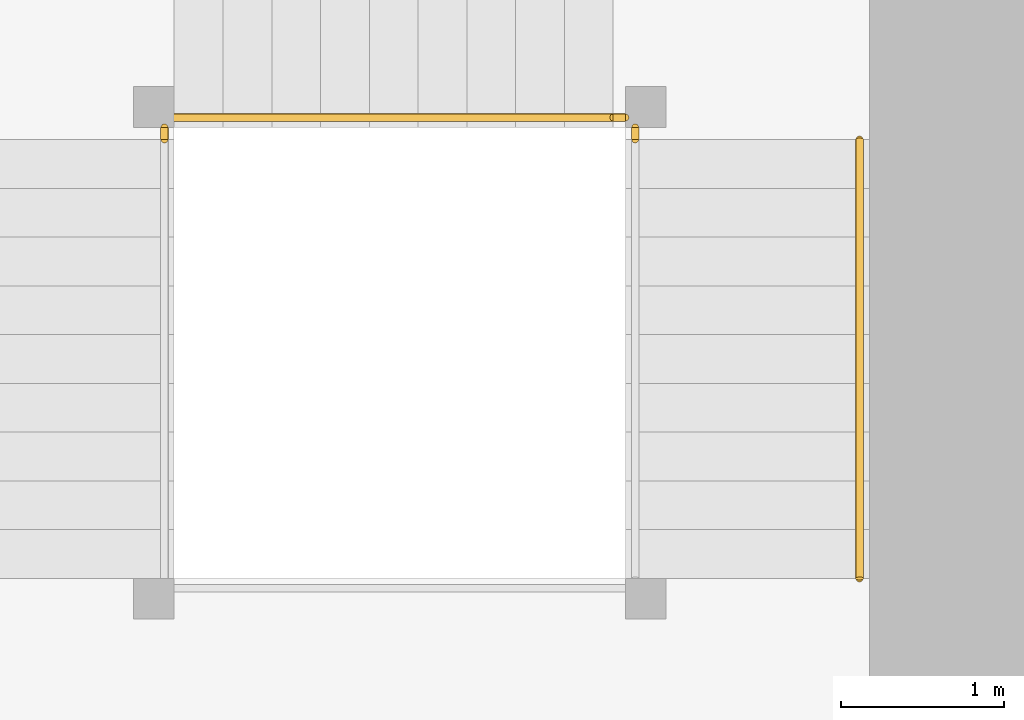
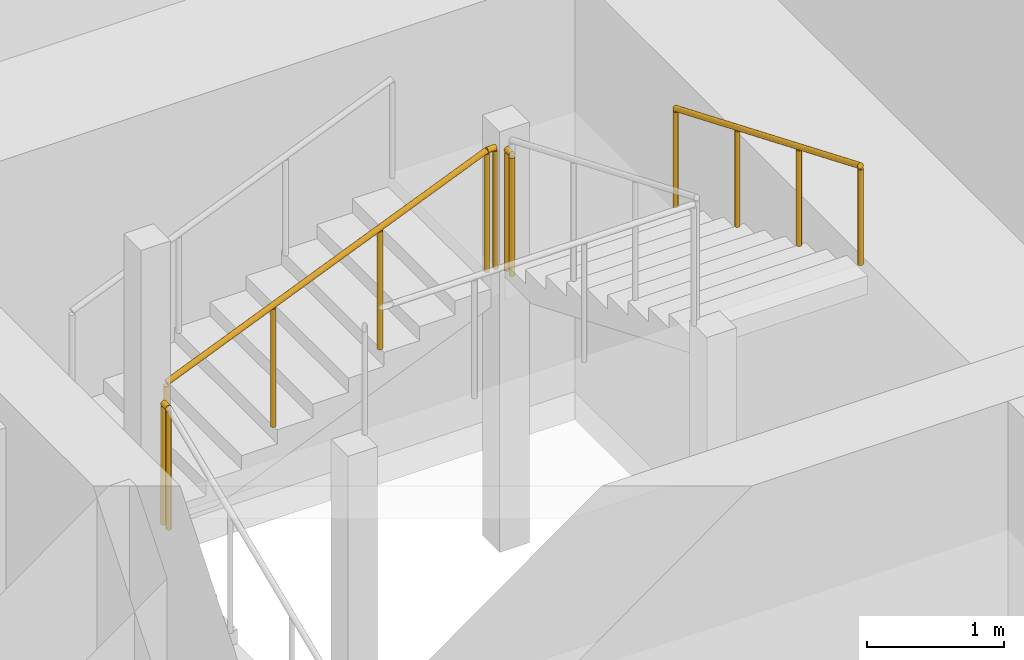
# One storey, part 44 of 45: 5 railings.
"""IFC4 building model written with IfcOpenShell, lengths in metres."""

from ifc_helpers import new_model, si_unit, direction, frame, origin, origin_2d, place, context, subcontext, project, spatial, circle, extrude, material, type_object, element, save


model = new_model("IFC4")

# Units and contexts
model_context = context("Model", 3, precision=1e-05, world=origin(), true_north=direction((0.0, 1.0)))
body_context = subcontext(model_context, "Body", "Model", "MODEL_VIEW")
ifc_project = project(units=[si_unit("LENGTHUNIT", "METRE"), si_unit("AREAUNIT", "SQUARE_METRE"), si_unit("VOLUMEUNIT", "CUBIC_METRE"), si_unit("PLANEANGLEUNIT", "RADIAN"), si_unit("MASSUNIT", "GRAM", prefix="KILO")], contexts=[model_context])

# Site, building, storey
site_placement = place(None, origin())
site = spatial("IfcSite", under=ifc_project, at=site_placement, CompositionType="ELEMENT")
building_placement = place(site_placement, origin())
building = spatial("IfcBuilding", under=site, at=building_placement, Name="Rekha Terrace Tower", CompositionType="ELEMENT")
storey_placement = place(building_placement, frame((0.0, 0.0, 36.64990234375)))
storey = spatial("IfcBuildingStorey", under=building, at=storey_placement, Name="L08", CompositionType="ELEMENT", Elevation=36.64990234375)

# Railings
ifc_material_1 = material(Name="Stainless steel balustrade", Category="steel")
railing_type_1 = type_object("IfcRailingType", Name="GR1 1100 stair guard", PredefinedType="GUARDRAIL", material=ifc_material_1)
railing_1_placement = place(storey_placement, frame((45.574951171875, 44.2099609375, 1.375)))
element("IfcRailing", 1, at=railing_1_placement, inside=storey, type_object=railing_type_1, Name="Guard ST2 L08 flight 2", PredefinedType="GUARDRAIL", context=body_context, shape_type="SweptSolid", body=[
    extrude(circle(Radius=0.02392578125, at=origin_2d()), frame((0.0, 0.0, 1.076171875), z_axis=(0.923074453586, 0.0, 0.384621311341), x_axis=(0.0, 1.0, 0.0)), (0.0, 0.0, 1.0), 2.925048828125),
    extrude(circle(Radius=0.02099609375, at=origin_2d()), origin(), (0.0, 0.0, 1.0), 1.052001953125),
    extrude(circle(Radius=0.02099609375, at=origin_2d()), frame((0.89990234375, 0.0, 0.375)), (0.0, 0.0, 1.0), 1.052001953125),
    extrude(circle(Radius=0.02099609375, at=origin_2d()), frame((1.800048828125, 0.0, 0.75)), (0.0, 0.0, 1.0), 1.052001953125),
    extrude(circle(Radius=0.02099609375, at=origin_2d()), frame((2.699951171875, 0.0, 1.125)), (0.0, 0.0, 1.0), 1.052001953125),
])
railing_2_placement = place(storey_placement, frame((45.514892578125, 44.074951171875, 1.25)))
element("IfcRailing", 2, at=railing_2_placement, inside=storey, type_object=railing_type_1, Name="Guard ST2 L08 landing 1", PredefinedType="GUARDRAIL", context=body_context, shape_type="SweptSolid", body=[
    extrude(circle(Radius=0.02392578125, at=origin_2d()), frame((0.0, 0.0, 1.076171875), z_axis=(0.0, 1.0, 0.0), x_axis=(-1.0, 0.0, 0.0)), (0.0, 0.0, 1.0), 0.074951171875),
    extrude(circle(Radius=0.02099609375, at=origin_2d()), origin(), (0.0, 0.0, 1.0), 1.052001953125),
    extrude(circle(Radius=0.02099609375, at=origin_2d()), frame((0.0, 0.074951171875, 0.0)), (0.0, 0.0, 1.0), 1.052001953125),
])
railing_3_placement = place(storey_placement, frame((48.27490234375, 44.2099609375, 2.5)))
element("IfcRailing", 3, at=railing_3_placement, inside=storey, type_object=railing_type_1, Name="Guard ST2 L08 landing 2", PredefinedType="GUARDRAIL", context=body_context, shape_type="SweptSolid", body=[
    extrude(circle(Radius=0.02392578125, at=origin_2d()), frame((0.0, 0.0, 1.076171875), z_axis=(1.0, 0.0, 0.0), x_axis=(0.0, 1.0, 0.0)), (0.0, 0.0, 1.0), 0.0751953125),
    extrude(circle(Radius=0.02099609375, at=origin_2d()), origin(), (0.0, 0.0, 1.0), 1.052001953125),
    extrude(circle(Radius=0.02099609375, at=origin_2d()), frame((0.0751953125, 0.0, 0.0)), (0.0, 0.0, 1.0), 1.052001953125),
])
railing_4_placement = place(storey_placement, frame((48.409912109375, 44.074951171875, 2.5)))
element("IfcRailing", 4, at=railing_4_placement, inside=storey, type_object=railing_type_1, Name="Guard ST2 L08 landing 3", PredefinedType="GUARDRAIL", context=body_context, shape_type="SweptSolid", body=[
    extrude(circle(Radius=0.02392578125, at=origin_2d()), frame((0.0, 0.0, 1.076171875), z_axis=(0.0, 1.0, 0.0), x_axis=(-1.0, 0.0, 0.0)), (0.0, 0.0, 1.0), 0.074951171875),
    extrude(circle(Radius=0.02099609375, at=origin_2d()), origin(), (0.0, 0.0, 1.0), 1.052001953125),
    extrude(circle(Radius=0.02099609375, at=origin_2d()), frame((0.0, 0.074951171875, 0.0)), (0.0, 0.0, 1.0), 1.052001953125),
])
ifc_material_2 = material(Name="Stainless steel tube", Category="steel")
railing_type_2 = type_object("IfcRailingType", Name="HR1 900 stair handrail", PredefinedType="HANDRAIL", material=ifc_material_2)
railing_5_placement = place(storey_placement, frame((49.7900390625, 44.074951171875, 2.625)))
element("IfcRailing", 5, at=railing_5_placement, inside=storey, type_object=railing_type_2, Name="Handrail ST2 L08 flight 3", PredefinedType="HANDRAIL", context=body_context, shape_type="SweptSolid", body=[
    extrude(circle(Radius=0.02392578125, at=origin_2d()), frame((0.0, 0.0, 0.8759765625), z_axis=(0.0, -0.923074453586, 0.384621311341), x_axis=(1.0, 0.0, 0.0)), (0.0, 0.0, 1.0), 2.925048828125),
    extrude(circle(Radius=0.02099609375, at=origin_2d()), origin(), (0.0, 0.0, 1.0), 0.851806640625),
    extrude(circle(Radius=0.02099609375, at=origin_2d()), frame((0.0, -0.89990234375, 0.375)), (0.0, 0.0, 1.0), 0.851806640625),
    extrude(circle(Radius=0.02099609375, at=origin_2d()), frame((0.0, -1.800048828125, 0.75)), (0.0, 0.0, 1.0), 0.851806640625),
    extrude(circle(Radius=0.02099609375, at=origin_2d()), frame((0.0, -2.699951171875, 1.125)), (0.0, 0.0, 1.0), 0.851806640625),
])

save(model, "model.ifc")
